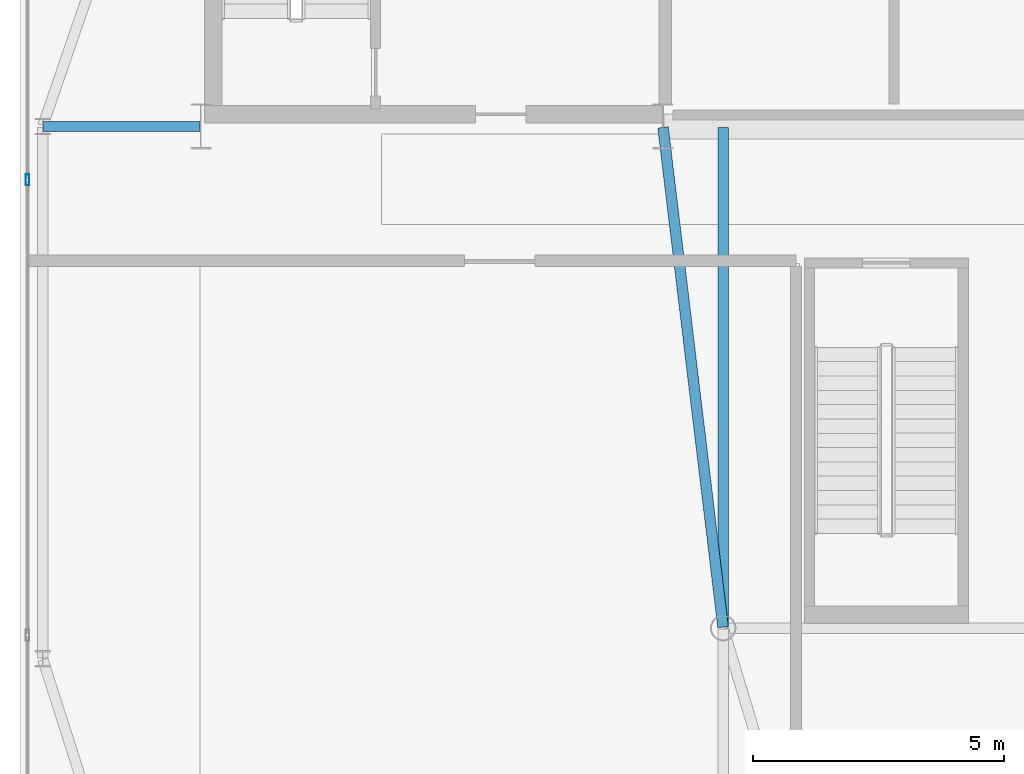
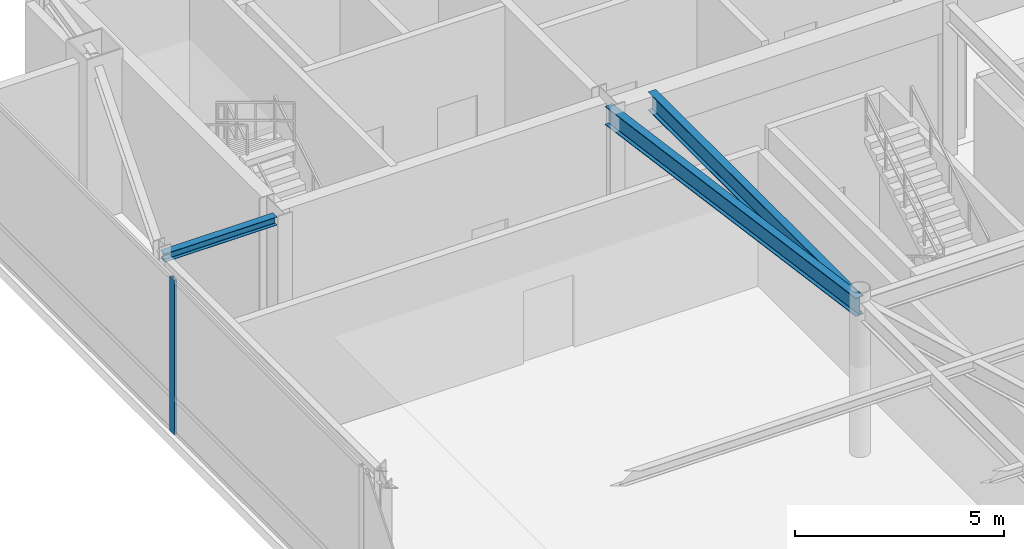
# One storey, part 10 of 21: 3 beams, 1 member, 1 element without a shape of its own.
"""IFC4 building model written with IfcOpenShell, lengths in metres."""

from ifc_helpers import new_model, si_unit, direction, frame, origin, origin_2d, place, context, subcontext, project, spatial, hollow_rectangle, i_section, extrude, source, transform, mapped, material, layer, layer_set, material_profile, profile_set, type_object, type_shapes, element, aggregate, save


model = new_model("IFC4")

# Units and contexts
model_context = context("Model", 3, precision=1e-05, world=origin(), true_north=direction((0.0, 1.0)))
body_context = subcontext(model_context, "Body", "Model", "MODEL_VIEW")
ifc_project = project(units=[si_unit("LENGTHUNIT", "METRE"), si_unit("AREAUNIT", "SQUARE_METRE"), si_unit("VOLUMEUNIT", "CUBIC_METRE"), si_unit("PLANEANGLEUNIT", "RADIAN"), si_unit("MASSUNIT", "GRAM", prefix="KILO")], contexts=[model_context])

# Site, building, storey
site_placement = place(None, origin())
site = spatial("IfcSite", under=ifc_project, at=site_placement, CompositionType="ELEMENT")
building_placement = place(site_placement, origin())
building = spatial("IfcBuilding", under=site, at=building_placement, Name="Varnel Quay Broadcast Tower", CompositionType="ELEMENT")
storey_placement = place(building_placement, frame((0.0, 0.0, 300.199951171875)))
storey = spatial("IfcBuildingStorey", under=building, at=storey_placement, Name="L75", CompositionType="ELEMENT", Elevation=300.199951171875)

# Beams
ifc_material_1 = material(Name="Structural Steel CSA G40.21 350W", Category="steel")
ifc_material_profile_1 = material_profile(ifc_material_1, i_section(OverallWidth=0.2119140625, OverallDepth=0.5439453125, WebThickness=0.01318359375, FlangeThickness=0.021240234375, FilletRadius=0.013916015625, at=origin_2d()), Name="W530X123")
ifc_profile_set_1 = profile_set([ifc_material_profile_1], Name="Structural Steel CSA G40.21 350W")
beam_type_1 = type_object("IfcBeamType", Name="Girder_W530X123", PredefinedType="BEAM", material=ifc_profile_set_1)
shared_shape_1 = source(origin(), body_context, "Body", "SweptSolid", [
    extrude(i_section(OverallWidth=0.2119140625, OverallDepth=0.5439453125, WebThickness=0.01318359375, FlangeThickness=0.021240234375, FilletRadius=0.013916015625, at=origin_2d()), origin(), (0.0, 0.0, 1.0), 10.021728515625),
])
beam_1_placement = place(storey_placement, frame((25.99755859375, 25.6298828125, 4.248046875), z_axis=(-0.119248005741, 0.992864498875, 0.0), x_axis=(-0.992864498875, -0.119248005741, 0.0)))
element("IfcBeam", 1, at=beam_1_placement, inside=storey, type_object=beam_type_1, Name="L75 Primary Girder IC-01-CC-S2", PredefinedType="BEAM", context=body_context, shape_type="MappedRepresentation", body=[
    mapped(shared_shape_1, transform((0.0, 0.0, 0.0), x_axis=(1.0, 0.0, 0.0), y_axis=(0.0, 1.0, 0.0), z_axis=(0.0, 0.0, 1.0), scale=1.0)),
])
shared_shape_2 = source(origin(), body_context, "Body", "SweptSolid", [
    extrude(i_section(OverallWidth=0.2119140625, OverallDepth=0.5439453125, WebThickness=0.01318359375, FlangeThickness=0.021240234375, FilletRadius=0.013916015625, at=origin_2d()), origin(), (0.0, 0.0, 1.0), 9.9501953125),
])
type_shapes(beam_type_1, [shared_shape_1, shared_shape_2])
beam_2_placement = place(storey_placement, frame((26.0, 25.6298828125, 4.248046875), z_axis=(0.0, 1.0, 0.0), x_axis=(-1.0, 0.0, 0.0)))
element("IfcBeam", 2, at=beam_2_placement, inside=storey, type_object=beam_type_1, Name="L75 N-S Joist Header IC-01N", PredefinedType="BEAM", context=body_context, shape_type="MappedRepresentation", body=[
    mapped(shared_shape_2, transform((0.0, 0.0, 0.0), x_axis=(1.0, 0.0, 0.0), y_axis=(0.0, 1.0, 0.0), z_axis=(0.0, 0.0, 1.0), scale=1.0)),
])
ifc_material_profile_2 = material_profile(ifc_material_1, i_section(OverallWidth=0.201904296875, OverallDepth=0.2470703125, WebThickness=0.00732421875, FlangeThickness=0.010986328125, FilletRadius=0.010986328125, at=origin_2d()), Name="W250X49")
ifc_profile_set_2 = profile_set([ifc_material_profile_2], Name="Structural Steel CSA G40.21 350W")
beam_type_2 = type_object("IfcBeamType", Name="Beam_W250X49", PredefinedType="JOIST", material=ifc_profile_set_2)
shared_shape_3 = source(origin(), body_context, "Body", "SweptSolid", [
    extrude(i_section(OverallWidth=0.201904296875, OverallDepth=0.2470703125, WebThickness=0.00732421875, FlangeThickness=0.010986328125, FilletRadius=0.010986328125, at=origin_2d()), origin(), (0.0, 0.0, 1.0), 3.110107421875),
])
type_shapes(beam_type_2, [shared_shape_3])
beam_3_placement = place(storey_placement, frame((12.469970703125, 35.60009765625, 4.396484375), z_axis=(1.0, 0.0, 0.0), x_axis=(0.0, 1.0, 0.0)))
element("IfcBeam", 3, at=beam_3_placement, inside=storey, type_object=beam_type_2, Name="L75 West Core Tie Joist", PredefinedType="JOIST", context=body_context, shape_type="MappedRepresentation", body=[
    mapped(shared_shape_3, transform((0.0, 0.0, 0.0), x_axis=(1.0, 0.0, 0.0), y_axis=(0.0, 1.0, 0.0), z_axis=(0.0, 0.0, 1.0), scale=1.0)),
])

# Curtain wall, member
ifc_material_2 = material(Name="Anodised Bronze Aluminium 6063-T6", Category="aluminium")
ifc_layer = layer(ifc_material_2, 0.18994140625, Name="Anodised Bronze Aluminium 6063-T6")
ifc_layer_set = layer_set([ifc_layer], Name="Anodised Bronze Aluminium 6063-T6")
curtain_wall_type = type_object("IfcCurtainWallType", Name="CW_SkyObsHighVis", PredefinedType="NOTDEFINED", material=ifc_layer_set)
curtain_wall_placement = place(storey_placement, origin())
curtain_wall = element("IfcCurtainWall", 4, at=curtain_wall_placement, inside=storey, type_object=curtain_wall_type, Name="L75 West Unitised Curtain Wall", PredefinedType="NOTDEFINED")
ifc_material_profile_3 = material_profile(ifc_material_2, hollow_rectangle(XDim=0.074951171875, YDim=0.219970703125, WallThickness=0.00390625, at=origin_2d()), Name="ALU75X220X4")
ifc_profile_set_3 = profile_set([ifc_material_profile_3], Name="Anodised Bronze Aluminium 6063-T6")
member_type = type_object("IfcMemberType", Name="Mull_CWS-05", PredefinedType="MULLION", material=ifc_profile_set_3)
shared_shape_4 = source(origin(), body_context, "Body", "SweptSolid", [
    extrude(hollow_rectangle(XDim=0.074951171875, YDim=0.219970703125, WallThickness=0.00390625, at=origin_2d()), origin(), (0.0, 0.0, 1.0), 4.52001953125),
])
type_shapes(member_type, [shared_shape_4])
member_placement = place(storey_placement, frame((12.14990234375, 34.533447265625, 0.0), z_axis=(0.0, 0.0, 1.0), x_axis=(-1.0, 0.0, 0.0)))
member = element("IfcMember", 5, at=member_placement, type_object=member_type, Name="CWS-05 mullion 3", PredefinedType="MULLION", context=body_context, shape_type="MappedRepresentation", body=[
    mapped(shared_shape_4, transform((0.0, 0.0, 0.0), x_axis=(1.0, 0.0, 0.0), y_axis=(0.0, 1.0, 0.0), z_axis=(0.0, 0.0, 1.0), scale=1.0)),
])
aggregate(curtain_wall, [member])

save(model, "model.ifc")
